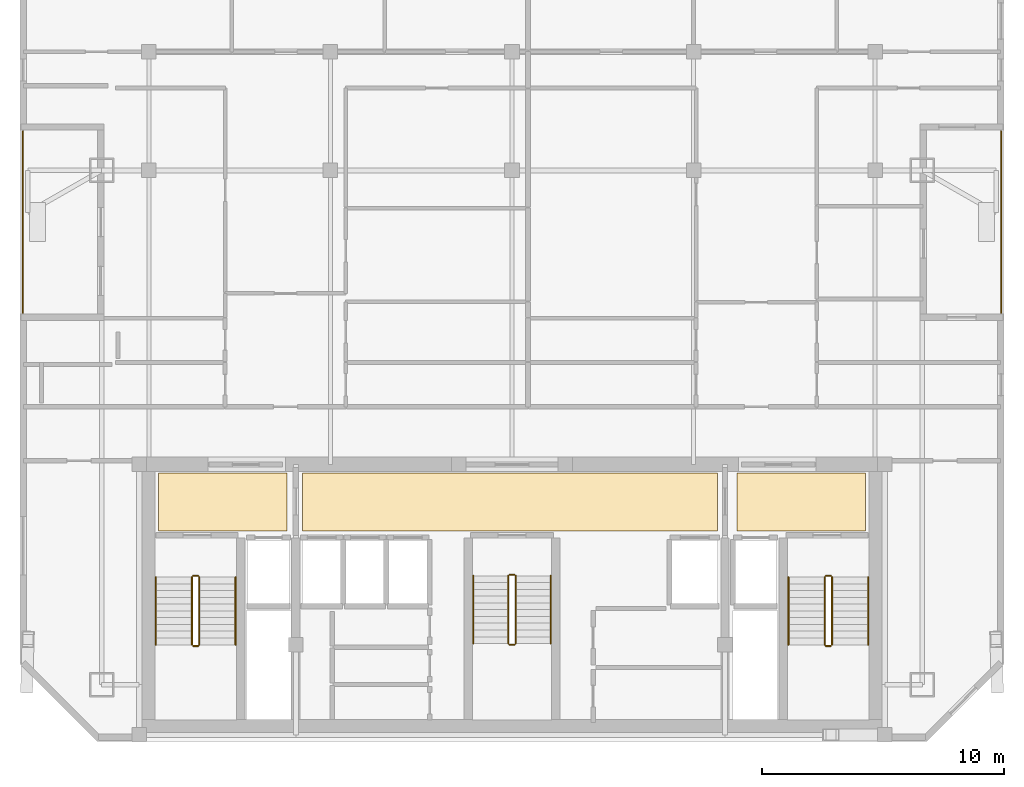
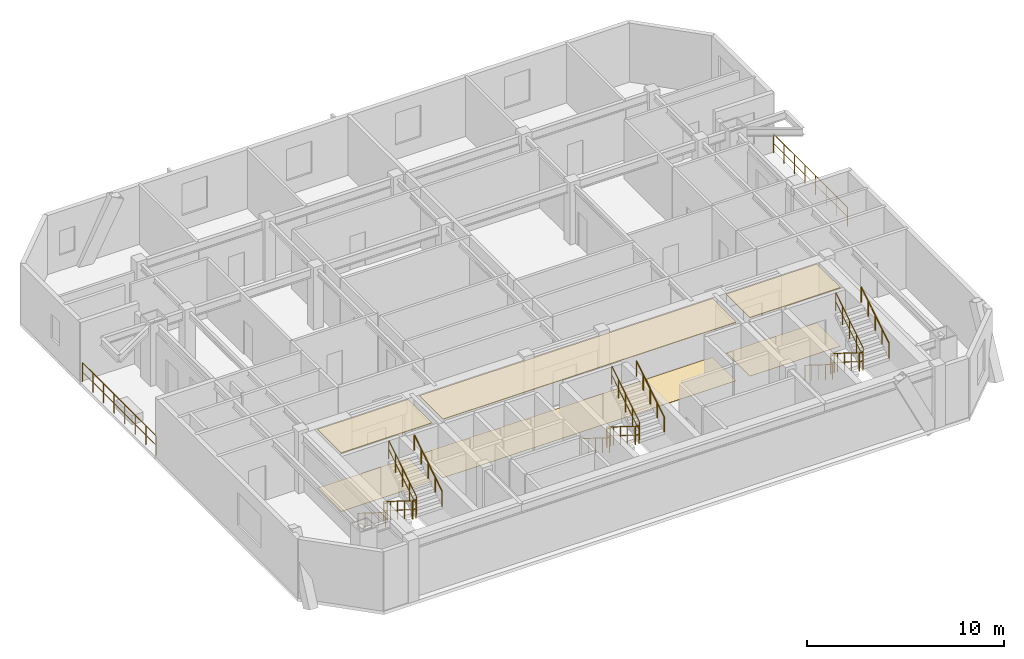
# One storey, part 7 of 8: 20 railings, 6 coverings.
"""IFC4 building model written with IfcOpenShell, lengths in metres."""

from ifc_helpers import new_model, si_unit, direction, frame, origin, origin_2d, place, context, subcontext, project, spatial, polyline, circle, outline, extrude, material, layer, layer_set, type_object, element, save


model = new_model("IFC4")

# Units and contexts
model_context = context("Model", 3, precision=1e-05, world=origin(), true_north=direction((0.0, 1.0)))
body_context = subcontext(model_context, "Body", "Model", "MODEL_VIEW")
ifc_project = project(units=[si_unit("LENGTHUNIT", "METRE"), si_unit("AREAUNIT", "SQUARE_METRE"), si_unit("VOLUMEUNIT", "CUBIC_METRE"), si_unit("PLANEANGLEUNIT", "RADIAN"), si_unit("MASSUNIT", "GRAM", prefix="KILO")], contexts=[model_context])

# Site, building, storey
site_placement = place(None, origin())
site = spatial("IfcSite", under=ifc_project, at=site_placement, CompositionType="ELEMENT")
building_placement = place(site_placement, origin())
building = spatial("IfcBuilding", under=site, at=building_placement, Name="Ventersveld Concourse Tower", CompositionType="ELEMENT")
storey_placement = place(building_placement, frame((0.0, 0.0, 284.89990234375)))
storey = spatial("IfcBuildingStorey", under=building, at=storey_placement, Name="L70", CompositionType="ELEMENT", Elevation=284.89990234375)

# Coverings
ifc_material_1 = material(Name="Mineral-fibre acoustic ceiling tile", Category="gypsum")
ifc_layer_1 = layer(ifc_material_1, 0.0400390625)
ifc_layer_set_1 = layer_set([ifc_layer_1], Name="Mineral-fibre acoustic ceiling tile")
covering_type_1 = type_object("IfcCoveringType", Name="COV-CEIL-ACOUSTIC", PredefinedType="CEILING", material=ifc_layer_set_1)
covering_1_placement = place(storey_placement, frame((0.0, 0.0, 3.610107421875)))
element("IfcCovering", 1, at=covering_1_placement, inside=storey, type_object=covering_type_1, Name="L70 North Lift Lobby Acoustic Ceiling", PredefinedType="CEILING", context=body_context, shape_type="SweptSolid", body=[
    extrude(outline(polyline([(20.10009765625, 8.699951171875), (37.25, 8.699951171875), (37.25, 11.10009765625), (20.10009765625, 11.10009765625), (20.10009765625, 8.699951171875)])), origin(), (0.0, 0.0, 1.0), 0.0400390625),
])
covering_2_placement = place(storey_placement, frame((0.0, 0.0, 3.610107421875)))
element("IfcCovering", 2, at=covering_2_placement, inside=storey, type_object=covering_type_1, Name="L70 West Firefighting Lobby Acoustic Ceiling", PredefinedType="CEILING", context=body_context, shape_type="SweptSolid", body=[
    extrude(outline(polyline([(14.14990234375, 8.699951171875), (19.449951171875, 8.699951171875), (19.449951171875, 11.10009765625), (14.14990234375, 11.10009765625), (14.14990234375, 8.699951171875)])), origin(), (0.0, 0.0, 1.0), 0.0400390625),
])
covering_3_placement = place(storey_placement, frame((0.0, 0.0, 3.610107421875)))
element("IfcCovering", 3, at=covering_3_placement, inside=storey, type_object=covering_type_1, Name="L70 East Firefighting Lobby Acoustic Ceiling", PredefinedType="CEILING", context=body_context, shape_type="SweptSolid", body=[
    extrude(outline(polyline([(38.050048828125, 8.699951171875), (43.35009765625, 8.699951171875), (43.35009765625, 11.10009765625), (38.050048828125, 11.10009765625), (38.050048828125, 8.699951171875)])), origin(), (0.0, 0.0, 1.0), 0.0400390625),
])
ifc_material_2 = material(Name="Polished Highveld granite terrazzo", Category="masonry")
ifc_layer_2 = layer(ifc_material_2, 0.02001953125)
ifc_layer_set_2 = layer_set([ifc_layer_2], Name="Polished Highveld granite terrazzo")
covering_type_2 = type_object("IfcCoveringType", Name="COV-FLOOR-TERRAZZO", PredefinedType="FLOORING", material=ifc_layer_set_2)
covering_4_placement = place(storey_placement, origin())
element("IfcCovering", 4, at=covering_4_placement, inside=storey, type_object=covering_type_2, Name="L70 North Lift Lobby Terrazzo Flooring", PredefinedType="FLOORING", context=body_context, shape_type="SweptSolid", body=[
    extrude(outline(polyline([(20.10009765625, 8.699951171875), (37.25, 8.699951171875), (37.25, 11.10009765625), (20.10009765625, 11.10009765625), (20.10009765625, 8.699951171875)])), origin(), (0.0, 0.0, 1.0), 0.02001953125),
])
covering_5_placement = place(storey_placement, origin())
element("IfcCovering", 5, at=covering_5_placement, inside=storey, type_object=covering_type_2, Name="L70 West Firefighting Lobby Terrazzo Flooring", PredefinedType="FLOORING", context=body_context, shape_type="SweptSolid", body=[
    extrude(outline(polyline([(14.14990234375, 8.699951171875), (19.449951171875, 8.699951171875), (19.449951171875, 11.10009765625), (14.14990234375, 11.10009765625), (14.14990234375, 8.699951171875)])), origin(), (0.0, 0.0, 1.0), 0.02001953125),
])
covering_6_placement = place(storey_placement, origin())
element("IfcCovering", 6, at=covering_6_placement, inside=storey, type_object=covering_type_2, Name="L70 East Firefighting Lobby Terrazzo Flooring", PredefinedType="FLOORING", context=body_context, shape_type="SweptSolid", body=[
    extrude(outline(polyline([(38.050048828125, 8.699951171875), (43.35009765625, 8.699951171875), (43.35009765625, 11.10009765625), (38.050048828125, 11.10009765625), (38.050048828125, 8.699951171875)])), origin(), (0.0, 0.0, 1.0), 0.02001953125),
])

# Railings
ifc_material_3 = material(Name="Brushed stainless steel 316", Category="steel")
railing_type_1 = type_object("IfcRailingType", Name="GD-BAL-115", PredefinedType="GUARDRAIL", material=ifc_material_3)
railing_1_placement = place(storey_placement, frame((15.530029296875, 6.800048828125, 0.175048828125)))
element("IfcRailing", 7, at=railing_1_placement, inside=storey, type_object=railing_type_1, Name="L70 ST-01 stair guard 1", PredefinedType="GUARDRAIL", context=body_context, shape_type="SweptSolid", body=[
    extrude(circle(Radius=0.02392578125, at=origin_2d()), frame((0.0, 0.0, 1.1259765625), z_axis=(0.0, -0.848002457836, 0.529992293815), x_axis=(1.0, 0.0, 0.0)), (0.0, 0.0, 1.0), 3.302001953125),
    extrude(circle(Radius=0.01611328125, at=origin_2d()), frame((0.0, 0.0, 0.574951171875), z_axis=(0.0, -0.848002457836, 0.529992293815), x_axis=(1.0, 0.0, 0.0)), (0.0, 0.0, 1.0), 3.302001953125),
    extrude(circle(Radius=0.02099609375, at=origin_2d()), origin(), (0.0, 0.0, 1.0), 1.101806640625),
    extrude(circle(Radius=0.02099609375, at=origin_2d()), frame((0.0, -0.699951171875, 0.4375)), (0.0, 0.0, 1.0), 1.101806640625),
    extrude(circle(Radius=0.02099609375, at=origin_2d()), frame((0.0, -1.39990234375, 0.875)), (0.0, 0.0, 1.0), 1.101806640625),
    extrude(circle(Radius=0.02099609375, at=origin_2d()), frame((0.0, -2.10009765625, 1.3125)), (0.0, 0.0, 1.0), 1.101806640625),
    extrude(circle(Radius=0.02099609375, at=origin_2d()), frame((0.0, -2.800048828125, 1.75)), (0.0, 0.0, 1.0), 1.101806640625),
])
railing_2_placement = place(storey_placement, frame((15.580078125, 3.949951171875, 1.925048828125)))
element("IfcRailing", 8, at=railing_2_placement, inside=storey, type_object=railing_type_1, Name="L70 ST-01 stair guard 2", PredefinedType="GUARDRAIL", context=body_context, shape_type="SweptSolid", body=[
    extrude(circle(Radius=0.02392578125, at=origin_2d()), frame((0.0, 0.0, 1.1259765625), z_axis=(1.0, 0.0, 0.0), x_axis=(0.0, 1.0, 0.0)), (0.0, 0.0, 1.0), 0.199951171875),
    extrude(circle(Radius=0.01611328125, at=origin_2d()), frame((0.0, 0.0, 0.574951171875), z_axis=(1.0, 0.0, 0.0), x_axis=(0.0, 1.0, 0.0)), (0.0, 0.0, 1.0), 0.199951171875),
    extrude(circle(Radius=0.02099609375, at=origin_2d()), origin(), (0.0, 0.0, 1.0), 1.101806640625),
    extrude(circle(Radius=0.02099609375, at=origin_2d()), frame((0.199951171875, 0.0, 0.0)), (0.0, 0.0, 1.0), 1.101806640625),
])
railing_3_placement = place(storey_placement, frame((15.830078125, 4.0, 2.10009765625)))
element("IfcRailing", 9, at=railing_3_placement, inside=storey, type_object=railing_type_1, Name="L70 ST-01 stair guard 3", PredefinedType="GUARDRAIL", context=body_context, shape_type="SweptSolid", body=[
    extrude(circle(Radius=0.02392578125, at=origin_2d()), frame((0.0, 0.0, 1.1259765625), z_axis=(0.0, 0.848002457836, 0.529992293815), x_axis=(-1.0, 0.0, 0.0)), (0.0, 0.0, 1.0), 3.302001953125),
    extrude(circle(Radius=0.01611328125, at=origin_2d()), frame((0.0, 0.0, 0.574951171875), z_axis=(0.0, 0.848002457836, 0.529992293815), x_axis=(-1.0, 0.0, 0.0)), (0.0, 0.0, 1.0), 3.302001953125),
    extrude(circle(Radius=0.02099609375, at=origin_2d()), origin(), (0.0, 0.0, 1.0), 1.101806640625),
    extrude(circle(Radius=0.02099609375, at=origin_2d()), frame((0.0, 0.699951171875, 0.4375)), (0.0, 0.0, 1.0), 1.101806640625),
    extrude(circle(Radius=0.02099609375, at=origin_2d()), frame((0.0, 1.39990234375, 0.875)), (0.0, 0.0, 1.0), 1.101806640625),
    extrude(circle(Radius=0.02099609375, at=origin_2d()), frame((0.0, 2.10009765625, 1.3125)), (0.0, 0.0, 1.0), 1.101806640625),
    extrude(circle(Radius=0.02099609375, at=origin_2d()), frame((0.0, 2.800048828125, 1.75)), (0.0, 0.0, 1.0), 1.101806640625),
])
railing_4_placement = place(storey_placement, frame((15.580078125, 6.85009765625, 0.0)))
element("IfcRailing", 10, at=railing_4_placement, inside=storey, type_object=railing_type_1, Name="L70 ST-01 stair guard 4", PredefinedType="GUARDRAIL", context=body_context, shape_type="SweptSolid", body=[
    extrude(circle(Radius=0.02392578125, at=origin_2d()), frame((0.0, 0.0, 1.1259765625), z_axis=(1.0, 0.0, 0.0), x_axis=(0.0, 1.0, 0.0)), (0.0, 0.0, 1.0), 0.199951171875),
    extrude(circle(Radius=0.01611328125, at=origin_2d()), frame((0.0, 0.0, 0.574951171875), z_axis=(1.0, 0.0, 0.0), x_axis=(0.0, 1.0, 0.0)), (0.0, 0.0, 1.0), 0.199951171875),
    extrude(circle(Radius=0.02099609375, at=origin_2d()), origin(), (0.0, 0.0, 1.0), 1.101806640625),
    extrude(circle(Radius=0.02099609375, at=origin_2d()), frame((0.199951171875, 0.0, 0.0)), (0.0, 0.0, 1.0), 1.101806640625),
])
railing_5_placement = place(storey_placement, frame((41.669921875, 6.800048828125, 0.175048828125)))
element("IfcRailing", 11, at=railing_5_placement, inside=storey, type_object=railing_type_1, Name="L70 ST-02 stair guard 1", PredefinedType="GUARDRAIL", context=body_context, shape_type="SweptSolid", body=[
    extrude(circle(Radius=0.02392578125, at=origin_2d()), frame((0.0, 0.0, 1.1259765625), z_axis=(0.0, -0.848002457836, 0.529992293815), x_axis=(1.0, 0.0, 0.0)), (0.0, 0.0, 1.0), 3.302001953125),
    extrude(circle(Radius=0.01611328125, at=origin_2d()), frame((0.0, 0.0, 0.574951171875), z_axis=(0.0, -0.848002457836, 0.529992293815), x_axis=(1.0, 0.0, 0.0)), (0.0, 0.0, 1.0), 3.302001953125),
    extrude(circle(Radius=0.02099609375, at=origin_2d()), origin(), (0.0, 0.0, 1.0), 1.101806640625),
    extrude(circle(Radius=0.02099609375, at=origin_2d()), frame((0.0, -0.699951171875, 0.4375)), (0.0, 0.0, 1.0), 1.101806640625),
    extrude(circle(Radius=0.02099609375, at=origin_2d()), frame((0.0, -1.39990234375, 0.875)), (0.0, 0.0, 1.0), 1.101806640625),
    extrude(circle(Radius=0.02099609375, at=origin_2d()), frame((0.0, -2.10009765625, 1.3125)), (0.0, 0.0, 1.0), 1.101806640625),
    extrude(circle(Radius=0.02099609375, at=origin_2d()), frame((0.0, -2.800048828125, 1.75)), (0.0, 0.0, 1.0), 1.101806640625),
])
railing_6_placement = place(storey_placement, frame((41.719970703125, 3.949951171875, 1.925048828125)))
element("IfcRailing", 12, at=railing_6_placement, inside=storey, type_object=railing_type_1, Name="L70 ST-02 stair guard 2", PredefinedType="GUARDRAIL", context=body_context, shape_type="SweptSolid", body=[
    extrude(circle(Radius=0.02392578125, at=origin_2d()), frame((0.0, 0.0, 1.1259765625), z_axis=(1.0, 0.0, 0.0), x_axis=(0.0, 1.0, 0.0)), (0.0, 0.0, 1.0), 0.199951171875),
    extrude(circle(Radius=0.01611328125, at=origin_2d()), frame((0.0, 0.0, 0.574951171875), z_axis=(1.0, 0.0, 0.0), x_axis=(0.0, 1.0, 0.0)), (0.0, 0.0, 1.0), 0.199951171875),
    extrude(circle(Radius=0.02099609375, at=origin_2d()), origin(), (0.0, 0.0, 1.0), 1.101806640625),
    extrude(circle(Radius=0.02099609375, at=origin_2d()), frame((0.199951171875, 0.0, 0.0)), (0.0, 0.0, 1.0), 1.101806640625),
])
railing_7_placement = place(storey_placement, frame((41.969970703125, 4.0, 2.10009765625)))
element("IfcRailing", 13, at=railing_7_placement, inside=storey, type_object=railing_type_1, Name="L70 ST-02 stair guard 3", PredefinedType="GUARDRAIL", context=body_context, shape_type="SweptSolid", body=[
    extrude(circle(Radius=0.02392578125, at=origin_2d()), frame((0.0, 0.0, 1.1259765625), z_axis=(0.0, 0.848002457836, 0.529992293815), x_axis=(-1.0, 0.0, 0.0)), (0.0, 0.0, 1.0), 3.302001953125),
    extrude(circle(Radius=0.01611328125, at=origin_2d()), frame((0.0, 0.0, 0.574951171875), z_axis=(0.0, 0.848002457836, 0.529992293815), x_axis=(-1.0, 0.0, 0.0)), (0.0, 0.0, 1.0), 3.302001953125),
    extrude(circle(Radius=0.02099609375, at=origin_2d()), origin(), (0.0, 0.0, 1.0), 1.101806640625),
    extrude(circle(Radius=0.02099609375, at=origin_2d()), frame((0.0, 0.699951171875, 0.4375)), (0.0, 0.0, 1.0), 1.101806640625),
    extrude(circle(Radius=0.02099609375, at=origin_2d()), frame((0.0, 1.39990234375, 0.875)), (0.0, 0.0, 1.0), 1.101806640625),
    extrude(circle(Radius=0.02099609375, at=origin_2d()), frame((0.0, 2.10009765625, 1.3125)), (0.0, 0.0, 1.0), 1.101806640625),
    extrude(circle(Radius=0.02099609375, at=origin_2d()), frame((0.0, 2.800048828125, 1.75)), (0.0, 0.0, 1.0), 1.101806640625),
])
railing_8_placement = place(storey_placement, frame((41.719970703125, 6.85009765625, 0.0)))
element("IfcRailing", 14, at=railing_8_placement, inside=storey, type_object=railing_type_1, Name="L70 ST-02 stair guard 4", PredefinedType="GUARDRAIL", context=body_context, shape_type="SweptSolid", body=[
    extrude(circle(Radius=0.02392578125, at=origin_2d()), frame((0.0, 0.0, 1.1259765625), z_axis=(1.0, 0.0, 0.0), x_axis=(0.0, 1.0, 0.0)), (0.0, 0.0, 1.0), 0.199951171875),
    extrude(circle(Radius=0.01611328125, at=origin_2d()), frame((0.0, 0.0, 0.574951171875), z_axis=(1.0, 0.0, 0.0), x_axis=(0.0, 1.0, 0.0)), (0.0, 0.0, 1.0), 0.199951171875),
    extrude(circle(Radius=0.02099609375, at=origin_2d()), origin(), (0.0, 0.0, 1.0), 1.101806640625),
    extrude(circle(Radius=0.02099609375, at=origin_2d()), frame((0.199951171875, 0.0, 0.0)), (0.0, 0.0, 1.0), 1.101806640625),
])
railing_9_placement = place(storey_placement, frame((28.60009765625, 6.85009765625, 0.175048828125)))
element("IfcRailing", 15, at=railing_9_placement, inside=storey, type_object=railing_type_1, Name="L70 ST-03 stair guard 1", PredefinedType="GUARDRAIL", context=body_context, shape_type="SweptSolid", body=[
    extrude(circle(Radius=0.02392578125, at=origin_2d()), frame((0.0, 0.0, 1.1259765625), z_axis=(0.0, -0.848002457836, 0.529992293815), x_axis=(1.0, 0.0, 0.0)), (0.0, 0.0, 1.0), 3.302001953125),
    extrude(circle(Radius=0.01611328125, at=origin_2d()), frame((0.0, 0.0, 0.574951171875), z_axis=(0.0, -0.848002457836, 0.529992293815), x_axis=(1.0, 0.0, 0.0)), (0.0, 0.0, 1.0), 3.302001953125),
    extrude(circle(Radius=0.02099609375, at=origin_2d()), origin(), (0.0, 0.0, 1.0), 1.101806640625),
    extrude(circle(Radius=0.02099609375, at=origin_2d()), frame((0.0, -0.699951171875, 0.4375)), (0.0, 0.0, 1.0), 1.101806640625),
    extrude(circle(Radius=0.02099609375, at=origin_2d()), frame((0.0, -1.39990234375, 0.875)), (0.0, 0.0, 1.0), 1.101806640625),
    extrude(circle(Radius=0.02099609375, at=origin_2d()), frame((0.0, -2.10009765625, 1.3125)), (0.0, 0.0, 1.0), 1.101806640625),
    extrude(circle(Radius=0.02099609375, at=origin_2d()), frame((0.0, -2.800048828125, 1.75)), (0.0, 0.0, 1.0), 1.101806640625),
])
railing_10_placement = place(storey_placement, frame((28.64990234375, 4.0, 1.925048828125)))
element("IfcRailing", 16, at=railing_10_placement, inside=storey, type_object=railing_type_1, Name="L70 ST-03 stair guard 2", PredefinedType="GUARDRAIL", context=body_context, shape_type="SweptSolid", body=[
    extrude(circle(Radius=0.02392578125, at=origin_2d()), frame((0.0, 0.0, 1.1259765625), z_axis=(1.0, 0.0, 0.0), x_axis=(0.0, 1.0, 0.0)), (0.0, 0.0, 1.0), 0.2001953125),
    extrude(circle(Radius=0.01611328125, at=origin_2d()), frame((0.0, 0.0, 0.574951171875), z_axis=(1.0, 0.0, 0.0), x_axis=(0.0, 1.0, 0.0)), (0.0, 0.0, 1.0), 0.2001953125),
    extrude(circle(Radius=0.02099609375, at=origin_2d()), origin(), (0.0, 0.0, 1.0), 1.101806640625),
    extrude(circle(Radius=0.02099609375, at=origin_2d()), frame((0.2001953125, 0.0, 0.0)), (0.0, 0.0, 1.0), 1.101806640625),
])
railing_11_placement = place(storey_placement, frame((28.89990234375, 4.050048828125, 2.10009765625)))
element("IfcRailing", 17, at=railing_11_placement, inside=storey, type_object=railing_type_1, Name="L70 ST-03 stair guard 3", PredefinedType="GUARDRAIL", context=body_context, shape_type="SweptSolid", body=[
    extrude(circle(Radius=0.02392578125, at=origin_2d()), frame((0.0, 0.0, 1.1259765625), z_axis=(0.0, 0.848002457836, 0.529992293815), x_axis=(-1.0, 0.0, 0.0)), (0.0, 0.0, 1.0), 3.302001953125),
    extrude(circle(Radius=0.01611328125, at=origin_2d()), frame((0.0, 0.0, 0.574951171875), z_axis=(0.0, 0.848002457836, 0.529992293815), x_axis=(-1.0, 0.0, 0.0)), (0.0, 0.0, 1.0), 3.302001953125),
    extrude(circle(Radius=0.02099609375, at=origin_2d()), origin(), (0.0, 0.0, 1.0), 1.101806640625),
    extrude(circle(Radius=0.02099609375, at=origin_2d()), frame((0.0, 0.699951171875, 0.4375)), (0.0, 0.0, 1.0), 1.101806640625),
    extrude(circle(Radius=0.02099609375, at=origin_2d()), frame((0.0, 1.39990234375, 0.875)), (0.0, 0.0, 1.0), 1.101806640625),
    extrude(circle(Radius=0.02099609375, at=origin_2d()), frame((0.0, 2.10009765625, 1.3125)), (0.0, 0.0, 1.0), 1.101806640625),
    extrude(circle(Radius=0.02099609375, at=origin_2d()), frame((0.0, 2.800048828125, 1.75)), (0.0, 0.0, 1.0), 1.101806640625),
])
railing_12_placement = place(storey_placement, frame((28.64990234375, 6.89990234375, 0.0)))
element("IfcRailing", 18, at=railing_12_placement, inside=storey, type_object=railing_type_1, Name="L70 ST-03 stair guard 4", PredefinedType="GUARDRAIL", context=body_context, shape_type="SweptSolid", body=[
    extrude(circle(Radius=0.02392578125, at=origin_2d()), frame((0.0, 0.0, 1.1259765625), z_axis=(1.0, 0.0, 0.0), x_axis=(0.0, 1.0, 0.0)), (0.0, 0.0, 1.0), 0.2001953125),
    extrude(circle(Radius=0.01611328125, at=origin_2d()), frame((0.0, 0.0, 0.574951171875), z_axis=(1.0, 0.0, 0.0), x_axis=(0.0, 1.0, 0.0)), (0.0, 0.0, 1.0), 0.2001953125),
    extrude(circle(Radius=0.02099609375, at=origin_2d()), origin(), (0.0, 0.0, 1.0), 1.101806640625),
    extrude(circle(Radius=0.02099609375, at=origin_2d()), frame((0.2001953125, 0.0, 0.0)), (0.0, 0.0, 1.0), 1.101806640625),
])
railing_type_2 = type_object("IfcRailingType", Name="GD-TER-120", PredefinedType="GUARDRAIL", material=ifc_material_3)
for number, where, name in (
    (19, (8.544189453125, 17.71337890625, 0.0), "L70 Outdoor Terrace Guardrail NOTCH-W"),
    (20, (48.955810546875, 17.71337890625, 0.0), "L70 Outdoor Terrace Guardrail NOTCH-E"),
):
    element("IfcRailing", number, at=place(storey_placement, frame(where)), inside=storey, type_object=railing_type_2, Name=name, PredefinedType="GUARDRAIL", context=body_context, shape_type="SweptSolid", body=[
        extrude(circle(Radius=0.02392578125, at=origin_2d()), frame((0.0, 0.0, 1.17578125), z_axis=(0.0, 1.0, 0.0), x_axis=(-1.0, 0.0, 0.0)), (0.0, 0.0, 1.0), 7.5),
        extrude(circle(Radius=0.01611328125, at=origin_2d()), frame((0.0, 0.0, 0.60009765625), z_axis=(0.0, 1.0, 0.0), x_axis=(-1.0, 0.0, 0.0)), (0.0, 0.0, 1.0), 7.5),
        extrude(circle(Radius=0.02099609375, at=origin_2d()), origin(), (0.0, 0.0, 1.0), 1.15185546875),
        extrude(circle(Radius=0.02099609375, at=origin_2d()), frame((0.0, 1.071533203125, 0.0)), (0.0, 0.0, 1.0), 1.15185546875),
        extrude(circle(Radius=0.02099609375, at=origin_2d()), frame((0.0, 2.142822265625, 0.0)), (0.0, 0.0, 1.0), 1.15185546875),
        extrude(circle(Radius=0.02099609375, at=origin_2d()), frame((0.0, 3.21435546875, 0.0)), (0.0, 0.0, 1.0), 1.15185546875),
        extrude(circle(Radius=0.02099609375, at=origin_2d()), frame((0.0, 4.28564453125, 0.0)), (0.0, 0.0, 1.0), 1.15185546875),
        extrude(circle(Radius=0.02099609375, at=origin_2d()), frame((0.0, 5.357177734375, 0.0)), (0.0, 0.0, 1.0), 1.15185546875),
        extrude(circle(Radius=0.02099609375, at=origin_2d()), frame((0.0, 6.428466796875, 0.0)), (0.0, 0.0, 1.0), 1.15185546875),
        extrude(circle(Radius=0.02099609375, at=origin_2d()), frame((0.0, 7.5, 0.0)), (0.0, 0.0, 1.0), 1.15185546875),
    ])
railing_type_3 = type_object("IfcRailingType", Name="HR-RMP-095", PredefinedType="HANDRAIL", material=ifc_material_3)
railing_13_placement = place(storey_placement, frame((14.030029296875, 6.800048828125, 0.175048828125)))
element("IfcRailing", 21, at=railing_13_placement, inside=storey, type_object=railing_type_3, Name="L70 ST-01 stair handrail 1", PredefinedType="HANDRAIL", context=body_context, shape_type="SweptSolid", body=[
    extrude(circle(Radius=0.02392578125, at=origin_2d()), frame((0.0, 0.0, 0.92578125), z_axis=(0.0, -0.848002457836, 0.529992293815), x_axis=(1.0, 0.0, 0.0)), (0.0, 0.0, 1.0), 3.302001953125),
    extrude(circle(Radius=0.02099609375, at=origin_2d()), origin(), (0.0, 0.0, 1.0), 0.90185546875),
    extrude(circle(Radius=0.02099609375, at=origin_2d()), frame((0.0, -0.699951171875, 0.4375)), (0.0, 0.0, 1.0), 0.90185546875),
    extrude(circle(Radius=0.02099609375, at=origin_2d()), frame((0.0, -1.39990234375, 0.875)), (0.0, 0.0, 1.0), 0.90185546875),
    extrude(circle(Radius=0.02099609375, at=origin_2d()), frame((0.0, -2.10009765625, 1.3125)), (0.0, 0.0, 1.0), 0.90185546875),
    extrude(circle(Radius=0.02099609375, at=origin_2d()), frame((0.0, -2.800048828125, 1.75)), (0.0, 0.0, 1.0), 0.90185546875),
])
railing_14_placement = place(storey_placement, frame((17.330078125, 4.0, 2.10009765625)))
element("IfcRailing", 22, at=railing_14_placement, inside=storey, type_object=railing_type_3, Name="L70 ST-01 stair handrail 2", PredefinedType="HANDRAIL", context=body_context, shape_type="SweptSolid", body=[
    extrude(circle(Radius=0.02392578125, at=origin_2d()), frame((0.0, 0.0, 0.92578125), z_axis=(0.0, 0.848002457836, 0.529992293815), x_axis=(-1.0, 0.0, 0.0)), (0.0, 0.0, 1.0), 3.302001953125),
    extrude(circle(Radius=0.02099609375, at=origin_2d()), origin(), (0.0, 0.0, 1.0), 0.90185546875),
    extrude(circle(Radius=0.02099609375, at=origin_2d()), frame((0.0, 0.699951171875, 0.4375)), (0.0, 0.0, 1.0), 0.90185546875),
    extrude(circle(Radius=0.02099609375, at=origin_2d()), frame((0.0, 1.39990234375, 0.875)), (0.0, 0.0, 1.0), 0.90185546875),
    extrude(circle(Radius=0.02099609375, at=origin_2d()), frame((0.0, 2.10009765625, 1.3125)), (0.0, 0.0, 1.0), 0.90185546875),
    extrude(circle(Radius=0.02099609375, at=origin_2d()), frame((0.0, 2.800048828125, 1.75)), (0.0, 0.0, 1.0), 0.90185546875),
])
railing_15_placement = place(storey_placement, frame((40.169921875, 6.800048828125, 0.175048828125)))
element("IfcRailing", 23, at=railing_15_placement, inside=storey, type_object=railing_type_3, Name="L70 ST-02 stair handrail 1", PredefinedType="HANDRAIL", context=body_context, shape_type="SweptSolid", body=[
    extrude(circle(Radius=0.02392578125, at=origin_2d()), frame((0.0, 0.0, 0.92578125), z_axis=(0.0, -0.848002457836, 0.529992293815), x_axis=(1.0, 0.0, 0.0)), (0.0, 0.0, 1.0), 3.302001953125),
    extrude(circle(Radius=0.02099609375, at=origin_2d()), origin(), (0.0, 0.0, 1.0), 0.90185546875),
    extrude(circle(Radius=0.02099609375, at=origin_2d()), frame((0.0, -0.699951171875, 0.4375)), (0.0, 0.0, 1.0), 0.90185546875),
    extrude(circle(Radius=0.02099609375, at=origin_2d()), frame((0.0, -1.39990234375, 0.875)), (0.0, 0.0, 1.0), 0.90185546875),
    extrude(circle(Radius=0.02099609375, at=origin_2d()), frame((0.0, -2.10009765625, 1.3125)), (0.0, 0.0, 1.0), 0.90185546875),
    extrude(circle(Radius=0.02099609375, at=origin_2d()), frame((0.0, -2.800048828125, 1.75)), (0.0, 0.0, 1.0), 0.90185546875),
])
railing_16_placement = place(storey_placement, frame((43.469970703125, 4.0, 2.10009765625)))
element("IfcRailing", 24, at=railing_16_placement, inside=storey, type_object=railing_type_3, Name="L70 ST-02 stair handrail 2", PredefinedType="HANDRAIL", context=body_context, shape_type="SweptSolid", body=[
    extrude(circle(Radius=0.02392578125, at=origin_2d()), frame((0.0, 0.0, 0.92578125), z_axis=(0.0, 0.848002457836, 0.529992293815), x_axis=(-1.0, 0.0, 0.0)), (0.0, 0.0, 1.0), 3.302001953125),
    extrude(circle(Radius=0.02099609375, at=origin_2d()), origin(), (0.0, 0.0, 1.0), 0.90185546875),
    extrude(circle(Radius=0.02099609375, at=origin_2d()), frame((0.0, 0.699951171875, 0.4375)), (0.0, 0.0, 1.0), 0.90185546875),
    extrude(circle(Radius=0.02099609375, at=origin_2d()), frame((0.0, 1.39990234375, 0.875)), (0.0, 0.0, 1.0), 0.90185546875),
    extrude(circle(Radius=0.02099609375, at=origin_2d()), frame((0.0, 2.10009765625, 1.3125)), (0.0, 0.0, 1.0), 0.90185546875),
    extrude(circle(Radius=0.02099609375, at=origin_2d()), frame((0.0, 2.800048828125, 1.75)), (0.0, 0.0, 1.0), 0.90185546875),
])
railing_17_placement = place(storey_placement, frame((27.14990234375, 6.85009765625, 0.175048828125)))
element("IfcRailing", 25, at=railing_17_placement, inside=storey, type_object=railing_type_3, Name="L70 ST-03 stair handrail 1", PredefinedType="HANDRAIL", context=body_context, shape_type="SweptSolid", body=[
    extrude(circle(Radius=0.02392578125, at=origin_2d()), frame((0.0, 0.0, 0.92578125), z_axis=(0.0, -0.848002457836, 0.529992293815), x_axis=(1.0, 0.0, 0.0)), (0.0, 0.0, 1.0), 3.302001953125),
    extrude(circle(Radius=0.02099609375, at=origin_2d()), origin(), (0.0, 0.0, 1.0), 0.90185546875),
    extrude(circle(Radius=0.02099609375, at=origin_2d()), frame((0.0, -0.699951171875, 0.4375)), (0.0, 0.0, 1.0), 0.90185546875),
    extrude(circle(Radius=0.02099609375, at=origin_2d()), frame((0.0, -1.39990234375, 0.875)), (0.0, 0.0, 1.0), 0.90185546875),
    extrude(circle(Radius=0.02099609375, at=origin_2d()), frame((0.0, -2.10009765625, 1.3125)), (0.0, 0.0, 1.0), 0.90185546875),
    extrude(circle(Radius=0.02099609375, at=origin_2d()), frame((0.0, -2.800048828125, 1.75)), (0.0, 0.0, 1.0), 0.90185546875),
])
railing_18_placement = place(storey_placement, frame((30.35009765625, 4.050048828125, 2.10009765625)))
element("IfcRailing", 26, at=railing_18_placement, inside=storey, type_object=railing_type_3, Name="L70 ST-03 stair handrail 2", PredefinedType="HANDRAIL", context=body_context, shape_type="SweptSolid", body=[
    extrude(circle(Radius=0.02392578125, at=origin_2d()), frame((0.0, 0.0, 0.92578125), z_axis=(0.0, 0.848002457836, 0.529992293815), x_axis=(-1.0, 0.0, 0.0)), (0.0, 0.0, 1.0), 3.302001953125),
    extrude(circle(Radius=0.02099609375, at=origin_2d()), origin(), (0.0, 0.0, 1.0), 0.90185546875),
    extrude(circle(Radius=0.02099609375, at=origin_2d()), frame((0.0, 0.699951171875, 0.4375)), (0.0, 0.0, 1.0), 0.90185546875),
    extrude(circle(Radius=0.02099609375, at=origin_2d()), frame((0.0, 1.39990234375, 0.875)), (0.0, 0.0, 1.0), 0.90185546875),
    extrude(circle(Radius=0.02099609375, at=origin_2d()), frame((0.0, 2.10009765625, 1.3125)), (0.0, 0.0, 1.0), 0.90185546875),
    extrude(circle(Radius=0.02099609375, at=origin_2d()), frame((0.0, 2.800048828125, 1.75)), (0.0, 0.0, 1.0), 0.90185546875),
])

save(model, "model.ifc")
